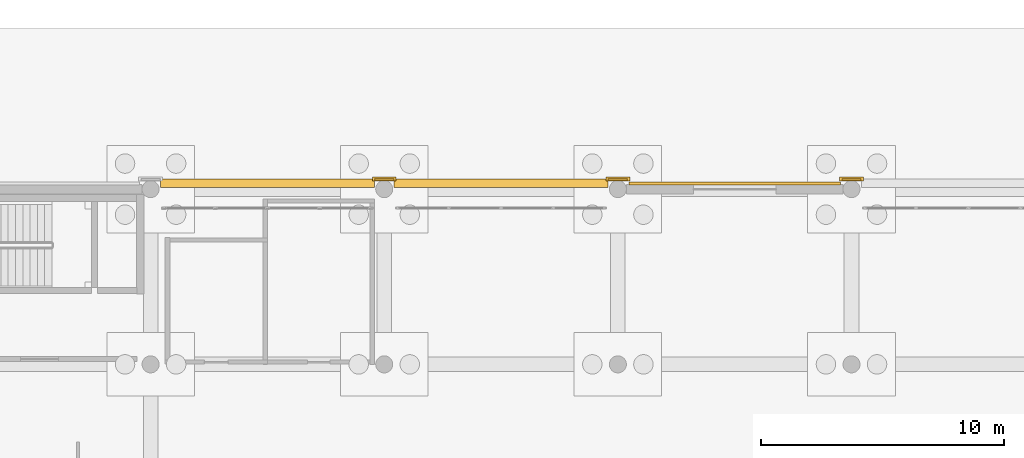
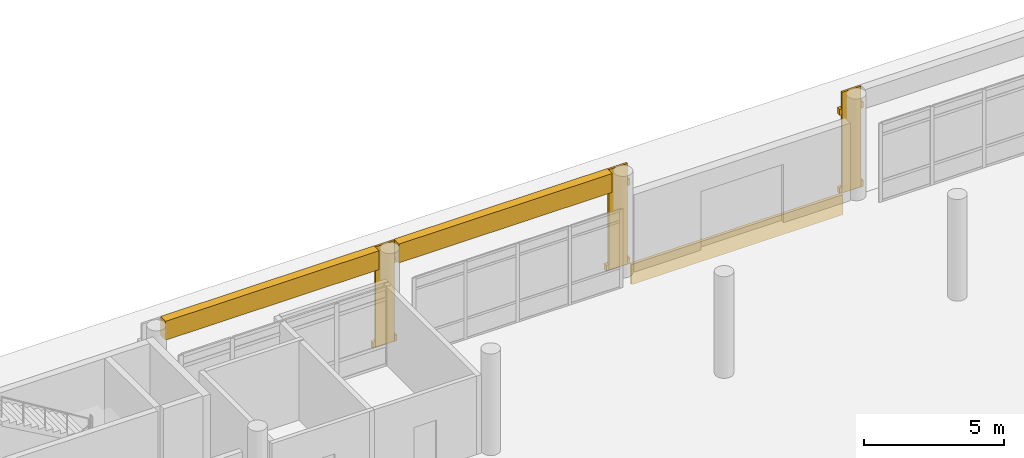
# One storey, part 190 of 196: 12 coverings.
"""IFC4 building model written with IfcOpenShell, lengths in metres."""

from ifc_helpers import new_model, si_unit, direction, frame, origin, origin_2d, place, context, subcontext, project, spatial, rectangle, extrude, material, layer, layer_set, type_object, element, save


model = new_model("IFC4")

# Units and contexts
model_context = context("Model", 3, precision=1e-05, world=origin(), true_north=direction((0.0, 1.0)))
body_context = subcontext(model_context, "Body", "Model", "MODEL_VIEW")
ifc_project = project(units=[si_unit("LENGTHUNIT", "METRE"), si_unit("AREAUNIT", "SQUARE_METRE"), si_unit("VOLUMEUNIT", "CUBIC_METRE"), si_unit("PLANEANGLEUNIT", "RADIAN"), si_unit("MASSUNIT", "GRAM", prefix="KILO")], contexts=[model_context])

# Site, building, storey
site_placement = place(None, origin())
site = spatial("IfcSite", under=ifc_project, at=site_placement, CompositionType="ELEMENT")
building_placement = place(site_placement, origin())
building = spatial("IfcBuilding", under=site, at=building_placement, Name="Asteropetra Specialist Clinic", CompositionType="ELEMENT")
storey_placement = place(building_placement, origin())
storey = spatial("IfcBuildingStorey", under=building, at=storey_placement, Name="L00", CompositionType="ELEMENT", Elevation=0.0)

# Coverings
ifc_material = material(Name="Pentelic marble ashlar", Category="masonry")
ifc_layer = layer(ifc_material, 0.159912109375)
ifc_layer_set = layer_set([ifc_layer], Name="Pentelic marble ashlar")
covering_type = type_object("IfcCoveringType", Name="CRN-ENTAB-600", PredefinedType="MOLDING", material=ifc_layer_set)
for number, where, z_axis, x_axis, name in (
    (1, (100.800048828125, 105.840087890625, 3.58984375), (0.0, 0.0, 1.0), (1.0, 0.0, 0.0), "Stoa Classical Entablature SE-0087"),
    (2, (110.39990234375, 105.840087890625, 3.58984375), (0.0, 0.0, 1.0), (1.0, 0.0, 0.0), "Stoa Classical Entablature SE-0089"),
):
    element("IfcCovering", number, at=place(storey_placement, frame(where, z_axis=z_axis, x_axis=x_axis)), inside=storey, type_object=covering_type, Name=name, PredefinedType="MOLDING", context=body_context, shape_type="SweptSolid", body=[
        extrude(rectangle(XDim=8.780029296875, YDim=0.360107421875, at=origin_2d()), origin(), (0.0, 0.0, 1.0), 0.820068359375),
    ])
covering_1_placement = place(storey_placement, frame((105.60009765625, 105.98193359375, 0.02001953125), z_axis=(0.0, 0.0, 1.0), x_axis=(1.0, 0.0, 0.0)))
element("IfcCovering", 3, at=covering_1_placement, inside=storey, type_object=covering_type, Name="Neoclassical Pilaster Facing CM-0127", PredefinedType="MOLDING", context=body_context, shape_type="SweptSolid", body=[
    extrude(rectangle(XDim=0.780029296875, YDim=0.080078125, at=origin_2d()), origin(), (0.0, 0.0, 1.0), 4.3798828125),
])
for number, where, z_axis, x_axis, name in (
    (4, (105.60009765625, 106.02197265625, 0.009765625), (0.0, 0.0, 1.0), (1.0, 0.0, 0.0), "Doric Base CC-0128"),
    (5, (105.60009765625, 106.02197265625, 3.43017578125), (0.0, 0.0, 1.0), (1.0, 0.0, 0.0), "Doric Capital CC-0129"),
):
    element("IfcCovering", number, at=place(storey_placement, frame(where, z_axis=z_axis, x_axis=x_axis)), inside=storey, type_object=covering_type, Name=name, PredefinedType="MOLDING", context=body_context, shape_type="SweptSolid", body=[
        extrude(rectangle(XDim=0.97998046875, YDim=0.159912109375, at=origin_2d()), origin(), (0.0, 0.0, 1.0), 0.260009765625),
    ])
covering_2_placement = place(storey_placement, frame((115.199951171875, 105.98193359375, 0.02001953125), z_axis=(0.0, 0.0, 1.0), x_axis=(1.0, 0.0, 0.0)))
element("IfcCovering", 6, at=covering_2_placement, inside=storey, type_object=covering_type, Name="Neoclassical Pilaster Facing CM-0133", PredefinedType="MOLDING", context=body_context, shape_type="SweptSolid", body=[
    extrude(rectangle(XDim=0.780029296875, YDim=0.080078125, at=origin_2d()), origin(), (0.0, 0.0, 1.0), 4.3798828125),
])
for number, where, z_axis, x_axis, name in (
    (7, (115.199951171875, 106.02197265625, 0.009765625), (0.0, 0.0, 1.0), (1.0, 0.0, 0.0), "Doric Base CC-0134"),
    (8, (115.199951171875, 106.02197265625, 3.43017578125), (0.0, 0.0, 1.0), (1.0, 0.0, 0.0), "Doric Capital CC-0135"),
):
    element("IfcCovering", number, at=place(storey_placement, frame(where, z_axis=z_axis, x_axis=x_axis)), inside=storey, type_object=covering_type, Name=name, PredefinedType="MOLDING", context=body_context, shape_type="SweptSolid", body=[
        extrude(rectangle(XDim=0.97998046875, YDim=0.159912109375, at=origin_2d()), origin(), (0.0, 0.0, 1.0), 0.260009765625),
    ])
covering_3_placement = place(storey_placement, frame((124.800048828125, 105.98193359375, 0.02001953125), z_axis=(0.0, 0.0, 1.0), x_axis=(1.0, 0.0, 0.0)))
element("IfcCovering", 9, at=covering_3_placement, inside=storey, type_object=covering_type, Name="Neoclassical Pilaster Facing CM-0139", PredefinedType="MOLDING", context=body_context, shape_type="SweptSolid", body=[
    extrude(rectangle(XDim=0.780029296875, YDim=0.080078125, at=origin_2d()), origin(), (0.0, 0.0, 1.0), 4.3798828125),
])
for number, where, z_axis, x_axis, name in (
    (10, (124.800048828125, 106.02197265625, 0.009765625), (0.0, 0.0, 1.0), (1.0, 0.0, 0.0), "Doric Base CC-0140"),
    (11, (124.800048828125, 106.02197265625, 3.43017578125), (0.0, 0.0, 1.0), (1.0, 0.0, 0.0), "Doric Capital CC-0141"),
):
    element("IfcCovering", number, at=place(storey_placement, frame(where, z_axis=z_axis, x_axis=x_axis)), inside=storey, type_object=covering_type, Name=name, PredefinedType="MOLDING", context=body_context, shape_type="SweptSolid", body=[
        extrude(rectangle(XDim=0.97998046875, YDim=0.159912109375, at=origin_2d()), origin(), (0.0, 0.0, 1.0), 0.260009765625),
    ])
covering_4_placement = place(storey_placement, frame((120.0, 105.830078125, -0.800048828125), z_axis=(0.0, 0.0, 1.0), x_axis=(1.0, 0.0, 0.0)))
element("IfcCovering", 12, at=covering_4_placement, inside=storey, type_object=covering_type, Name="Chevron Spandrel Band CV-1194", PredefinedType="MOLDING", context=body_context, shape_type="SweptSolid", body=[
    extrude(rectangle(XDim=8.699951171875, YDim=0.1201171875, at=origin_2d()), origin(), (0.0, 0.0, 1.0), 0.8798828125),
])

save(model, "model.ifc")
